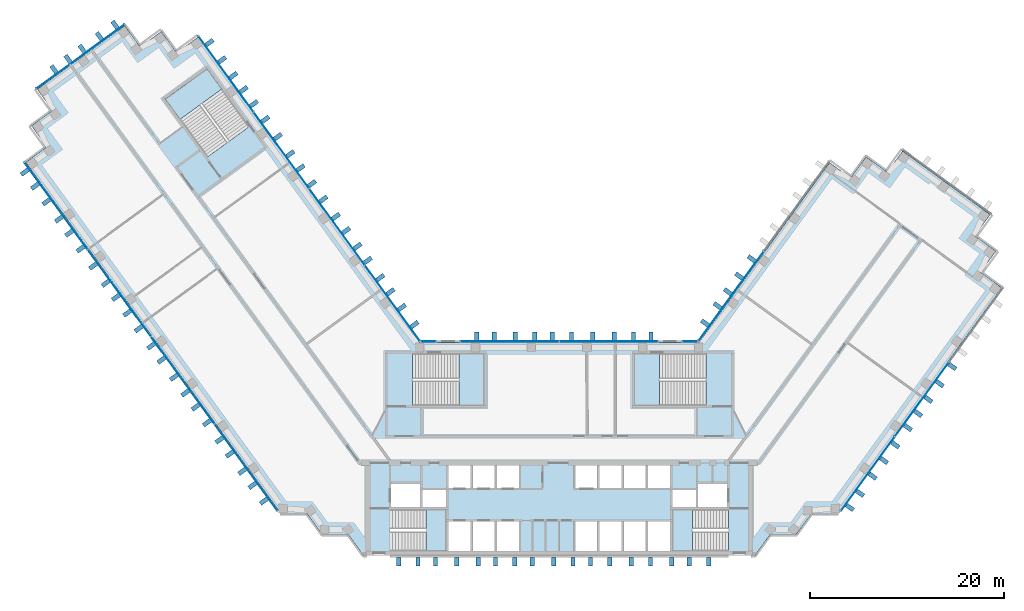
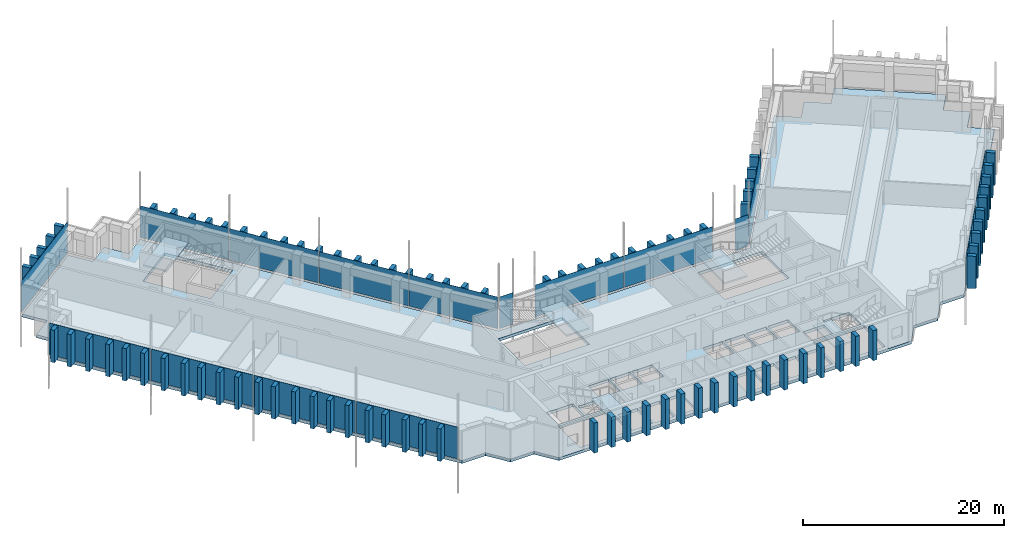
# One storey, part 7 of 16: 104 plates, 6 slabs, 13 elements without a shape of their own.
"""IFC4 building model written with IfcOpenShell, lengths in metres."""

import ifcopenshell
import ifcopenshell.guid

model = None  # the IFC model being written
_history = None  # IfcOwnerHistory: only IFC2X3 demands one
_inside = {}  # id of a spatial element -> (the spatial element, [elements in it])
_under = {}  # id of a project, library or spatial element -> (it, [spatial elements below it])
_declared = {}  # id of a project -> (the project, [libraries it declares])
_typed = {}  # id of a type object -> (the type object, [elements of that type])
_made_of = {}  # id of a material, layer set ... -> (it, [elements and type objects made of it])


def new_model(schema):
    """Start an empty IFC model of exactly this schema.

    Asked for "IFC4X3", IfcOpenShell would pick the latest addendum, in which some entities
    have other attributes; the version numbers below select the first issue.
    IFC2X3 requires an IfcOwnerHistory on every rooted entity: one is made here for all.
    """
    global model, _history
    if schema == "IFC4X3":
        model = ifcopenshell.file(schema_version=(4, 3, 0, 0))
    else:
        model = ifcopenshell.file(schema=schema)
    _inside.clear()
    _under.clear()
    _declared.clear()
    _typed.clear()
    _made_of.clear()
    _history = None
    if model.schema == "IFC2X3":
        org = make("IfcOrganization", Name="unknown")
        user = make(
            "IfcPersonAndOrganization",
            ThePerson=make("IfcPerson", FamilyName="unknown"),
            TheOrganization=org,
        )
        app = make(
            "IfcApplication",
            ApplicationDeveloper=org,
            Version="unknown",
            ApplicationFullName="unknown",
            ApplicationIdentifier="unknown",
        )
        _history = make(
            "IfcOwnerHistory",
            OwningUser=user,
            OwningApplication=app,
            ChangeAction="ADDED",
            CreationDate=0,
        )
    return model


def make(cls, **values):
    """One entity of the class cls with the attributes given. An attribute that is None is left unset."""
    return model.create_entity(
        cls, **{name: value for name, value in values.items() if value is not None}
    )


def rooted(cls, **values):
    """An entity with a GlobalId (a new one), such as an element, a storey or a relation."""
    return make(cls, GlobalId=ifcopenshell.guid.new(), OwnerHistory=_history, **values)


def si_unit(unit_type, name, prefix=None):
    """IfcSIUnit, for example si_unit("LENGTHUNIT", "METRE", prefix="MILLI")."""
    return make("IfcSIUnit", UnitType=unit_type, Prefix=prefix, Name=name)


def assignment(units):
    """IfcUnitAssignment: the units of a project."""
    return None if units is None else make("IfcUnitAssignment", Units=units)


def point(xyz):
    """IfcCartesianPoint."""
    return None if xyz is None else make("IfcCartesianPoint", Coordinates=xyz)


def direction(xyz):
    """IfcDirection."""
    return None if xyz is None else make("IfcDirection", DirectionRatios=xyz)


def frame(location, z_axis=None, x_axis=None):
    """IfcAxis2Placement3D, a coordinate frame: its origin and axes. An axis left out is left unset."""
    return make(
        "IfcAxis2Placement3D",
        Location=point(location),
        Axis=direction(z_axis),
        RefDirection=direction(x_axis),
    )


def frame_2d(location, x_axis=None):
    """IfcAxis2Placement2D, a coordinate frame in the plane: its origin and x axis."""
    return make(
        "IfcAxis2Placement2D", Location=point(location), RefDirection=direction(x_axis)
    )


def origin():
    """The frame at (0, 0, 0) with its axes left unset."""
    return frame((0.0, 0.0, 0.0))


def origin_2d():
    """The frame at (0, 0) in the plane with its x axis left unset."""
    return frame_2d((0.0, 0.0))


def place(relative_to, where):
    """IfcLocalPlacement: puts the frame where relative to a parent placement (None: the world)."""
    return make(
        "IfcLocalPlacement", PlacementRelTo=relative_to, RelativePlacement=where
    )


def context(
    kind, dimensions, precision=None, world=None, true_north=None, identifier=None
):
    """IfcGeometricRepresentationContext, for example the 3D "Model" context."""
    return make(
        "IfcGeometricRepresentationContext",
        ContextIdentifier=identifier,
        ContextType=kind,
        CoordinateSpaceDimension=dimensions,
        Precision=precision,
        WorldCoordinateSystem=world,
        TrueNorth=true_north,
    )


def subcontext(parent, identifier, kind, view, scale=None):
    """IfcGeometricRepresentationSubContext, for example "Body" below "Model"."""
    return make(
        "IfcGeometricRepresentationSubContext",
        ContextIdentifier=identifier,
        ContextType=kind,
        ParentContext=parent,
        TargetScale=scale,
        TargetView=view,
    )


def project(units=None, contexts=None):
    """IfcProject with its units and contexts."""
    return rooted(
        "IfcProject",
        Name="project",
        RepresentationContexts=contexts,
        UnitsInContext=assignment(units),
    )


def spatial(cls, under=None, at=None, **own):
    """A site, building, storey or space (cls), placed at a placement, below another one or the project."""
    s = rooted(cls, ObjectPlacement=at, **own)
    if under is not None:
        _under.setdefault(under.id(), (under, []))[1].append(s)
    return s


def polyline(points):
    """IfcPolyline through the points."""
    return make("IfcPolyline", Points=[point(p) for p in points])


def profile(cls, at=None, kind="AREA", **sizes):
    """A parametric profile (cls). Its sizes go by their IFC names, for example OverallWidth=200.0."""
    return make(cls, ProfileType=kind, Position=at, **sizes)


def rectangle(**sizes):
    """IfcRectangleProfileDef."""
    return profile("IfcRectangleProfileDef", **sizes)


def outline(outer, holes=None, kind="AREA"):
    """IfcArbitraryClosedProfileDef: a profile drawn as a closed curve; with holes, ...WithVoids."""
    if holes is None:
        return make("IfcArbitraryClosedProfileDef", ProfileType=kind, OuterCurve=outer)
    return make(
        "IfcArbitraryProfileDefWithVoids",
        ProfileType=kind,
        OuterCurve=outer,
        InnerCurves=holes,
    )


def extrude(swept, where, along, depth):
    """IfcExtrudedAreaSolid: the profile swept, set in the frame where, extruded along a direction by depth."""
    return make(
        "IfcExtrudedAreaSolid",
        SweptArea=swept,
        Position=where,
        ExtrudedDirection=direction(along),
        Depth=depth,
    )


def shape(context_of_items, identifier, shape_type, items):
    """IfcShapeRepresentation: the items that make up one representation, for example the "Body"."""
    return make(
        "IfcShapeRepresentation",
        ContextOfItems=context_of_items,
        RepresentationIdentifier=identifier,
        RepresentationType=shape_type,
        Items=items,
    )


def material(Name=None, Category=None):
    """IfcMaterial."""
    return make("IfcMaterial", Name=Name, Category=Category)


def layer(
    of_material, thickness, ventilated=None, Name=None, Category=None, Priority=None
):
    """IfcMaterialLayer: one layer of a wall or slab, of a material (None: an air gap)."""
    return make(
        "IfcMaterialLayer",
        Material=of_material,
        LayerThickness=thickness,
        IsVentilated=ventilated,
        Name=Name,
        Category=Category,
        Priority=Priority,
    )


def layer_set(layers, Name=None):
    """IfcMaterialLayerSet."""
    return make("IfcMaterialLayerSet", MaterialLayers=layers, LayerSetName=Name)


def made_of(thing, what):
    """Note that an element or type object is made of a material, layer set ...; save() writes the relation."""
    if what is not None:
        _made_of.setdefault(what.id(), (what, []))[1].append(thing)
    return thing


def type_object(cls, material=None, **own):
    """A type object (cls), such as IfcWallType, which elements share."""
    return made_of(rooted(cls, **own), material)


def element(
    cls,
    number,
    at=None,
    inside=None,
    cuts=None,
    type_object=None,
    material=None,
    context=None,
    identifier="Body",
    shape_type=None,
    held_by="IfcProductDefinitionShape",
    body=None,
    shapes=None,
    **own,
):
    """One element of the class cls, such as IfcWall. Its Tag is "e" and its number.

    at: its placement. inside: the storey or other place that contains it. cuts: it is an
    opening in that element (IfcRelVoidsElement). A single representation is given by context,
    identifier, shape_type and body (its items); several are given by shapes. held_by: the class
    of the entity that holds the representations. save() writes the other relations.
    """
    e = rooted(cls, Tag="e%d" % number, ObjectPlacement=at, **own)
    if body is not None:
        shapes = [shape(context, identifier, shape_type, body)]
    if shapes is not None:
        e.Representation = make(held_by, Representations=shapes)
    if inside is not None:
        _inside.setdefault(inside.id(), (inside, []))[1].append(e)
    if cuts is not None:
        rooted(
            "IfcRelVoidsElement", RelatingBuildingElement=cuts, RelatedOpeningElement=e
        )
    if type_object is not None:
        _typed.setdefault(type_object.id(), (type_object, []))[1].append(e)
    return made_of(e, material)


def aggregate(whole, parts):
    """IfcRelAggregates: a whole, such as a stair, and the parts it consists of."""
    return rooted("IfcRelAggregates", RelatingObject=whole, RelatedObjects=parts)


def save(model, path):
    """Write the relations noted so far, then the file.

    IfcRelAggregates (storeys below a building ...), IfcRelContainedInSpatialStructure (elements
    in a storey), IfcRelDefinesByType, IfcRelAssociatesMaterial and IfcRelDeclares: one each for
    every whole, place, type object, material and project.
    """
    for whole, parts in _under.values():
        aggregate(whole, parts)
    for where, things in _inside.values():
        rooted(
            "IfcRelContainedInSpatialStructure",
            RelatedElements=things,
            RelatingStructure=where,
        )
    for kind, things in _typed.values():
        rooted("IfcRelDefinesByType", RelatedObjects=things, RelatingType=kind)
    for what, things in _made_of.values():
        rooted("IfcRelAssociatesMaterial", RelatedObjects=things, RelatingMaterial=what)
    for by, libraries in _declared.values():
        rooted("IfcRelDeclares", RelatingContext=by, RelatedDefinitions=libraries)
    model.write(path)


model = new_model("IFC4")

# Units and contexts
model_context = context("Model", 3, precision=1e-05, world=origin(), true_north=direction((0.0, 1.0)))
body_context = subcontext(model_context, "Body", "Model", "MODEL_VIEW")
ifc_project = project(units=[si_unit("LENGTHUNIT", "METRE"), si_unit("AREAUNIT", "SQUARE_METRE"), si_unit("VOLUMEUNIT", "CUBIC_METRE"), si_unit("PLANEANGLEUNIT", "RADIAN"), si_unit("MASSUNIT", "GRAM", prefix="KILO")], contexts=[model_context])

# Site, building, storey
site_placement = place(None, origin())
site = spatial("IfcSite", under=ifc_project, at=site_placement, CompositionType="ELEMENT")
building_placement = place(site_placement, origin())
building = spatial("IfcBuilding", under=site, at=building_placement, Name="Quipu Civic Tower", CompositionType="ELEMENT")
storey_placement = place(building_placement, frame((0.0, 0.0, 125.0)))
storey = spatial("IfcBuildingStorey", under=building, at=storey_placement, Name="L29", CompositionType="ELEMENT", Elevation=125.0)

# Slab
ifc_material_1 = material(Name="Concrete C40/50", Category="concrete")
ifc_layer_1 = layer(ifc_material_1, 0.35009765625)
ifc_layer_set_1 = layer_set([ifc_layer_1], Name="Concrete C40/50")
slab_type_1 = type_object("IfcSlabType", Name="Floor slab 350 C40/50", PredefinedType="FLOOR", material=ifc_layer_set_1)
slab_1_placement = place(storey_placement, frame((0.0, 0.0, -0.35009765625)))
element("IfcSlab", 1, at=slab_1_placement, inside=storey, type_object=slab_type_1, Name="Floor slab L29", PredefinedType="FLOOR", context=body_context, shape_type="SweptSolid", body=[
    extrude(outline(polyline([(27.909912109375, 29.60498046875), (30.094970703125, 28.014892578125), (31.68505859375, 30.199951171875), (33.864990234375, 28.614990234375), (35.455078125, 30.800048828125), (44.514892578125, 24.215087890625), (42.929931640625, 22.030029296875), (45.114990234375, 20.445068359375), (43.52490234375, 18.260009765625), (45.7099609375, 16.669921875), (28.780029296875, -6.6298828125), (26.080078125, -6.6298828125), (24.489990234375, -8.81494140625), (21.7900390625, -8.81494140625), (20.205078125, -11.0), (-20.205078125, -11.0), (-21.7900390625, -8.81494140625), (-24.489990234375, -8.81494140625), (-26.080078125, -6.6298828125), (-28.780029296875, -6.6298828125), (-55.114990234375, 29.614990234375), (-52.929931640625, 31.205078125), (-54.514892578125, 33.389892578125), (-52.3349609375, 34.97509765625), (-53.919921875, 37.159912109375), (-44.860107421875, 43.739990234375), (-43.27001953125, 41.56005859375), (-41.0849609375, 43.14501953125), (-39.5, 40.9599609375), (-37.31494140625, 42.550048828125), (-14.39501953125, 11.0), (14.39501953125, 11.0), (27.909912109375, 29.60498046875)]), holes=[polyline([(-11.449951171875, -7.5), (-11.449951171875, -10.5), (-9.14990234375, -10.5), (-9.14990234375, -7.5), (-11.449951171875, -7.5)]), polyline([(-8.949951171875, -7.5), (-8.949951171875, -10.5), (-6.64990234375, -10.5), (-6.64990234375, -7.5), (-8.949951171875, -7.5)]), polyline([(-6.449951171875, -7.5), (-6.449951171875, -10.5), (-4.14990234375, -10.5), (-4.14990234375, -7.5), (-6.449951171875, -7.5)]), polyline([(-11.705078125, -10.4951171875), (-11.705078125, -6.2548828125), (-17.4951171875, -6.2548828125), (-17.4951171875, -10.4951171875), (-11.705078125, -10.4951171875)]), polyline([(-11.699951171875, -4.25), (-14.10009765625, -4.25), (-14.10009765625, -6.0), (-11.699951171875, -6.0), (-11.699951171875, -4.25)]), polyline([(-17.35009765625, -3.60009765625), (-17.35009765625, -6.0), (-14.35009765625, -6.0), (-14.35009765625, -3.60009765625), (-17.35009765625, -3.60009765625)]), polyline([(-9.14990234375, -1.699951171875), (-11.449951171875, -1.699951171875), (-11.449951171875, -4.0), (-9.14990234375, -4.0), (-9.14990234375, -1.699951171875)]), polyline([(-6.64990234375, -1.699951171875), (-8.949951171875, -1.699951171875), (-8.949951171875, -4.0), (-6.64990234375, -4.0), (-6.64990234375, -1.699951171875)]), polyline([(-6.449951171875, -1.699951171875), (-6.449951171875, -4.0), (-4.14990234375, -4.0), (-4.14990234375, -1.699951171875), (-6.449951171875, -1.699951171875)]), polyline([(3.949951171875, -1.699951171875), (1.64990234375, -1.699951171875), (1.64990234375, -4.0), (3.949951171875, -4.0), (3.949951171875, -1.699951171875)]), polyline([(-7.7548828125, 4.5048828125), (-7.7548828125, 9.844970703125), (-15.14501953125, 9.844970703125), (-15.14501953125, 4.5048828125), (-7.7548828125, 4.5048828125)]), polyline([(-40.68505859375, 36.135009765625), (-36.344970703125, 30.159912109375), (-32.02490234375, 33.300048828125), (-36.364990234375, 39.27490234375), (-40.68505859375, 36.135009765625)]), polyline([(3.949951171875, -7.5), (1.64990234375, -7.5), (1.64990234375, -10.5), (3.949951171875, -10.5), (3.949951171875, -7.5)]), polyline([(6.449951171875, -7.5), (4.14990234375, -7.5), (4.14990234375, -10.5), (6.449951171875, -10.5), (6.449951171875, -7.5)]), polyline([(6.64990234375, -7.5), (6.64990234375, -10.5), (8.949951171875, -10.5), (8.949951171875, -7.5), (6.64990234375, -7.5)]), polyline([(11.449951171875, -7.5), (9.14990234375, -7.5), (9.14990234375, -10.5), (11.449951171875, -10.5), (11.449951171875, -7.5)]), polyline([(11.705078125, -6.2548828125), (11.705078125, -10.4951171875), (17.4951171875, -10.4951171875), (17.4951171875, -6.2548828125), (11.705078125, -6.2548828125)]), polyline([(11.699951171875, -4.25), (11.699951171875, -6.0), (14.10009765625, -6.0), (14.10009765625, -4.25), (11.699951171875, -4.25)]), polyline([(17.35009765625, -3.60009765625), (14.35009765625, -3.60009765625), (14.35009765625, -6.0), (17.35009765625, -6.0), (17.35009765625, -3.60009765625)]), polyline([(6.449951171875, -1.699951171875), (4.14990234375, -1.699951171875), (4.14990234375, -4.0), (6.449951171875, -4.0), (6.449951171875, -1.699951171875)]), polyline([(6.64990234375, -1.699951171875), (6.64990234375, -4.0), (8.949951171875, -4.0), (8.949951171875, -1.699951171875), (6.64990234375, -1.699951171875)]), polyline([(11.449951171875, -1.699951171875), (9.14990234375, -1.699951171875), (9.14990234375, -4.0), (11.449951171875, -4.0), (11.449951171875, -1.699951171875)]), polyline([(7.7548828125, 9.844970703125), (7.7548828125, 4.5048828125), (15.14501953125, 4.5048828125), (15.14501953125, 9.844970703125), (7.7548828125, 9.844970703125)])]), origin(), (0.0, 0.0, 1.0), 0.35009765625),
])

# Curtain wall, plates
ifc_material_2 = material(Name="Insulated glass unit", Category="glass")
curtain_wall_type = type_object("IfcCurtainWallType", Name="Office curtain wall CW1", PredefinedType="NOTDEFINED", material=ifc_material_2)
curtain_wall_1_placement = place(storey_placement, origin())
curtain_wall_1 = element("IfcCurtainWall", 2, at=curtain_wall_1_placement, inside=storey, type_object=curtain_wall_type, Name="Office curtain wall CW1 L28 run 1", PredefinedType="NOTDEFINED")
ifc_material_3 = material(Name="Insulated glass unit", Category="glass")
ifc_layer_2 = layer(ifc_material_3, 0.028076171875)
ifc_layer_set_2 = layer_set([ifc_layer_2], Name="Insulated glass unit")
plate_type_1 = type_object("IfcPlateType", Name="Glass panel CW1", PredefinedType="CURTAIN_PANEL", material=ifc_layer_set_2)
plate_1_placement = place(storey_placement, frame((-17.224609375, 15.064697265625, 0.16015625), z_axis=(0.0, 0.0, 1.0), x_axis=(-0.587785887566, 0.809016532822, 0.0)))
plate_1 = element("IfcPlate", 3, at=plate_1_placement, type_object=plate_type_1, Name="CW1 panel 1.2", PredefinedType="CURTAIN_PANEL", context=body_context, shape_type="SweptSolid", body=[
    extrude(rectangle(XDim=9.64111328125, YDim=0.028076171875, at=origin_2d()), origin(), (0.0, 0.0, 1.0), 3.840087890625),
])
plate_2_placement = place(storey_placement, frame((-22.950439453125, 22.9453125, 0.16015625), z_axis=(0.0, 0.0, 1.0), x_axis=(-0.587785887566, 0.809016532822, 0.0)))
plate_2 = element("IfcPlate", 4, at=plate_2_placement, type_object=plate_type_1, Name="CW1 panel 2.2", PredefinedType="CURTAIN_PANEL", context=body_context, shape_type="SweptSolid", body=[
    extrude(rectangle(XDim=9.68115234375, YDim=0.028076171875, at=origin_2d()), origin(), (0.0, 0.0, 1.0), 3.840087890625),
])
plate_3_placement = place(storey_placement, frame((-28.687744140625, 30.84228515625, 0.16015625), z_axis=(0.0, 0.0, 1.0), x_axis=(-0.587785887566, 0.809016532822, 0.0)))
plate_3 = element("IfcPlate", 5, at=plate_3_placement, type_object=plate_type_1, Name="CW1 panel 3.2", PredefinedType="CURTAIN_PANEL", context=body_context, shape_type="SweptSolid", body=[
    extrude(rectangle(XDim=9.68115234375, YDim=0.028076171875, at=origin_2d()), origin(), (0.0, 0.0, 1.0), 3.840087890625),
])
plate_4_placement = place(storey_placement, frame((-34.413330078125, 38.722900390625, 0.16015625), z_axis=(0.0, 0.0, 1.0), x_axis=(-0.587785887566, 0.809016532822, 0.0)))
plate_4 = element("IfcPlate", 6, at=plate_4_placement, type_object=plate_type_1, Name="CW1 panel 4.2", PredefinedType="CURTAIN_PANEL", context=body_context, shape_type="SweptSolid", body=[
    extrude(rectangle(XDim=9.64111328125, YDim=0.028076171875, at=origin_2d()), origin(), (0.0, 0.0, 1.0), 3.840087890625),
])
aggregate(curtain_wall_1, [plate_1, plate_2, plate_3, plate_4])

# Curtain wall, plate
curtain_wall_2_placement = place(storey_placement, origin())
curtain_wall_2 = element("IfcCurtainWall", 7, at=curtain_wall_2_placement, inside=storey, type_object=curtain_wall_type, Name="Office curtain wall CW1 L28 run 6", PredefinedType="NOTDEFINED")
plate_5_placement = place(storey_placement, frame((-49.447998046875, 40.53173828125, 0.16015625), z_axis=(0.0, 0.0, 1.0), x_axis=(-0.809019348124, -0.587782012621, 0.0)))
plate_5 = element("IfcPlate", 8, at=plate_5_placement, type_object=plate_type_1, Name="CW1 panel 1.2", PredefinedType="CURTAIN_PANEL", context=body_context, shape_type="SweptSolid", body=[
    extrude(rectangle(XDim=11.239990234375, YDim=0.028076171875, at=origin_2d()), origin(), (0.0, 0.0, 1.0), 3.840087890625),
])
aggregate(curtain_wall_2, [plate_5])

# Curtain wall, plates
curtain_wall_3_placement = place(storey_placement, origin())
curtain_wall_3 = element("IfcCurtainWall", 9, at=curtain_wall_3_placement, inside=storey, type_object=curtain_wall_type, Name="Office curtain wall CW1 L28 run 11", PredefinedType="NOTDEFINED")
plate_6_placement = place(storey_placement, frame((-51.967529296875, 25.114990234375, 0.16015625), z_axis=(0.0, 0.0, 1.0), x_axis=(0.587785559869, -0.809016770908, 0.0)))
plate_6 = element("IfcPlate", 10, at=plate_6_placement, type_object=plate_type_1, Name="CW1 panel 1.2", PredefinedType="CURTAIN_PANEL", context=body_context, shape_type="SweptSolid", body=[
    extrude(rectangle(XDim=11.022705078125, YDim=0.028076171875, at=origin_2d()), origin(), (0.0, 0.0, 1.0), 3.840087890625),
])
plate_7_placement = place(storey_placement, frame((-45.4296875, 16.11669921875, 0.16015625), z_axis=(0.0, 0.0, 1.0), x_axis=(0.587785559869, -0.809016770908, 0.0)))
plate_7 = element("IfcPlate", 11, at=plate_7_placement, type_object=plate_type_1, Name="CW1 panel 2.2", PredefinedType="CURTAIN_PANEL", context=body_context, shape_type="SweptSolid", body=[
    extrude(rectangle(XDim=11.062744140625, YDim=0.028076171875, at=origin_2d()), origin(), (0.0, 0.0, 1.0), 3.840087890625),
])
plate_8_placement = place(storey_placement, frame((-38.880126953125, 7.101806640625, 0.16015625), z_axis=(0.0, 0.0, 1.0), x_axis=(0.587785559869, -0.809016770908, 0.0)))
plate_8 = element("IfcPlate", 12, at=plate_8_placement, type_object=plate_type_1, Name="CW1 panel 3.2", PredefinedType="CURTAIN_PANEL", context=body_context, shape_type="SweptSolid", body=[
    extrude(rectangle(XDim=11.062744140625, YDim=0.028076171875, at=origin_2d()), origin(), (0.0, 0.0, 1.0), 3.840087890625),
])
plate_9_placement = place(storey_placement, frame((-32.342529296875, -1.896484375, 0.16015625), z_axis=(0.0, 0.0, 1.0), x_axis=(0.587785559869, -0.809016770908, 0.0)))
plate_9 = element("IfcPlate", 13, at=plate_9_placement, type_object=plate_type_1, Name="CW1 panel 4.2", PredefinedType="CURTAIN_PANEL", context=body_context, shape_type="SweptSolid", body=[
    extrude(rectangle(XDim=11.022705078125, YDim=0.028076171875, at=origin_2d()), origin(), (0.0, 0.0, 1.0), 3.840087890625),
])
aggregate(curtain_wall_3, [plate_6, plate_7, plate_8, plate_9])

curtain_wall_4_placement = place(storey_placement, origin())
curtain_wall_4 = element("IfcCurtainWall", 14, at=curtain_wall_4_placement, inside=storey, type_object=curtain_wall_type, Name="Office curtain wall CW1 L28 run 23", PredefinedType="NOTDEFINED")
plate_10_placement = place(storey_placement, frame((31.86669921875, -2.551513671875, 0.16015625), z_axis=(0.0, 0.0, 1.0), x_axis=(0.587785375786, 0.809016904652, 0.0)))
plate_10 = element("IfcPlate", 15, at=plate_10_placement, type_object=plate_type_1, Name="CW1 panel 1.2", PredefinedType="CURTAIN_PANEL", context=body_context, shape_type="SweptSolid", body=[
    extrude(rectangle(XDim=9.403564453125, YDim=0.028076171875, at=origin_2d()), origin(), (0.0, 0.0, 1.0), 3.840087890625),
])
plate_11_placement = place(storey_placement, frame((37.45263671875, 5.13720703125, 0.16015625), z_axis=(0.0, 0.0, 1.0), x_axis=(0.587785375786, 0.809016904652, 0.0)))
plate_11 = element("IfcPlate", 16, at=plate_11_placement, type_object=plate_type_1, Name="CW1 panel 2.2", PredefinedType="CURTAIN_PANEL", context=body_context, shape_type="SweptSolid", body=[
    extrude(rectangle(XDim=9.443603515625, YDim=0.028076171875, at=origin_2d()), origin(), (0.0, 0.0, 1.0), 3.840087890625),
])
aggregate(curtain_wall_4, [plate_10, plate_11])

# Curtain wall, plate
curtain_wall_5_placement = place(storey_placement, origin())
curtain_wall_5 = element("IfcCurtainWall", 17, at=curtain_wall_5_placement, inside=storey, type_object=curtain_wall_type, Name="Office curtain wall CW1 L28 run 30", PredefinedType="NOTDEFINED")
plate_12_placement = place(storey_placement, frame((17.7421875, 15.777099609375, 0.16015625), z_axis=(0.0, 0.0, 1.0), x_axis=(-0.587788727052, -0.809014469803, 0.0)))
plate_12 = element("IfcPlate", 18, at=plate_12_placement, type_object=plate_type_1, Name="CW1 panel 2.2", PredefinedType="CURTAIN_PANEL", context=body_context, shape_type="SweptSolid", body=[
    extrude(rectangle(XDim=11.402099609375, YDim=0.028076171875, at=origin_2d()), origin(), (0.0, 0.0, 1.0), 3.840087890625),
])
aggregate(curtain_wall_5, [plate_12])

curtain_wall_6_placement = place(storey_placement, origin())
curtain_wall_6 = element("IfcCurtainWall", 19, at=curtain_wall_6_placement, inside=storey, type_object=curtain_wall_type, Name="Office curtain wall CW1 L28 run 31", PredefinedType="NOTDEFINED")
plate_13_placement = place(storey_placement, frame((13.49951171875, 11.10009765625, 0.16015625), z_axis=(0.0, 0.0, 1.0), x_axis=(-1.0, 0.0, 0.0)))
plate_13 = element("IfcPlate", 20, at=plate_13_placement, type_object=plate_type_1, Name="CW1 panel 1.2", PredefinedType="CURTAIN_PANEL", context=body_context, shape_type="SweptSolid", body=[
    extrude(rectangle(XDim=1.529296875, YDim=0.028076171875, at=origin_2d()), origin(), (0.0, 0.0, 1.0), 3.840087890625),
])
aggregate(curtain_wall_6, [plate_13])

# Curtain wall, plates
curtain_wall_7_placement = place(storey_placement, origin())
curtain_wall_7 = element("IfcCurtainWall", 21, at=curtain_wall_7_placement, inside=storey, type_object=curtain_wall_type, Name="Office curtain wall CW1 L28 run 33", PredefinedType="NOTDEFINED")
plate_14_placement = place(storey_placement, frame((5.11181640625, 11.10009765625, 0.16015625), z_axis=(0.0, 0.0, 1.0), x_axis=(-1.0, 0.0, 0.0)))
plate_14 = element("IfcPlate", 22, at=plate_14_placement, type_object=plate_type_1, Name="CW1 panel 1.2", PredefinedType="CURTAIN_PANEL", context=body_context, shape_type="SweptSolid", body=[
    extrude(rectangle(XDim=10.1435546875, YDim=0.028076171875, at=origin_2d()), origin(), (0.0, 0.0, 1.0), 3.840087890625),
])
plate_15_placement = place(storey_placement, frame((-5.11181640625, 11.10009765625, 0.16015625), z_axis=(0.0, 0.0, 1.0), x_axis=(-1.0, 0.0, 0.0)))
plate_15 = element("IfcPlate", 23, at=plate_15_placement, type_object=plate_type_1, Name="CW1 panel 2.2", PredefinedType="CURTAIN_PANEL", context=body_context, shape_type="SweptSolid", body=[
    extrude(rectangle(XDim=10.1435546875, YDim=0.028076171875, at=origin_2d()), origin(), (0.0, 0.0, 1.0), 3.840087890625),
])
aggregate(curtain_wall_7, [plate_14, plate_15])

# Curtain wall, plate
curtain_wall_8_placement = place(storey_placement, origin())
curtain_wall_8 = element("IfcCurtainWall", 24, at=curtain_wall_8_placement, inside=storey, type_object=curtain_wall_type, Name="Office curtain wall CW1 L28 run 35", PredefinedType="NOTDEFINED")
plate_16_placement = place(storey_placement, frame((-13.49951171875, 11.10009765625, 0.16015625), z_axis=(0.0, 0.0, 1.0), x_axis=(-1.0, 0.0, 0.0)))
plate_16 = element("IfcPlate", 25, at=plate_16_placement, type_object=plate_type_1, Name="CW1 panel 1.2", PredefinedType="CURTAIN_PANEL", context=body_context, shape_type="SweptSolid", body=[
    extrude(rectangle(XDim=1.529296875, YDim=0.028076171875, at=origin_2d()), origin(), (0.0, 0.0, 1.0), 3.840087890625),
])
aggregate(curtain_wall_8, [plate_16])

# Plates
ifc_material_4 = material(Name="Precast concrete C40/50", Category="concrete")
plate_type_2 = type_object("IfcPlateType", Name="Precast fin F1", PredefinedType="SHEET", material=ifc_material_4)
for number, where, z_axis, x_axis, name in (
    (26, (-14.942138671875, 12.8583984375, 0.080078125), (0.0, 0.0, 1.0), (-0.587784944053, 0.809017218324, 0.0), "Precast fin F1 L29.P04.1"),
    (27, (-16.235107421875, 14.638427734375, 0.080078125), (0.0, 0.0, 1.0), (-0.587784944053, 0.809017218324, 0.0), "Precast fin F1 L29.P04.2"),
    (28, (-17.41064453125, 16.25634765625, 0.080078125), (0.0, 0.0, 1.0), (-0.587784944053, 0.809017218324, 0.0), "Precast fin F1 L29.P04.3"),
    (29, (-18.46875, 17.712646484375, 0.080078125), (0.0, 0.0, 1.0), (-0.587784944053, 0.809017218324, 0.0), "Precast fin F1 L29.P04.4"),
    (30, (-19.761962890625, 19.492431640625, 0.080078125), (0.0, 0.0, 1.0), (-0.587784944053, 0.809017218324, 0.0), "Precast fin F1 L29.P04.5"),
    (31, (-20.81982421875, 20.94873046875, 0.080078125), (0.0, 0.0, 1.0), (-0.587784944053, 0.809017218324, 0.0), "Precast fin F1 L29.P04.6"),
    (32, (-21.995361328125, 22.566650390625, 0.080078125), (0.0, 0.0, 1.0), (-0.587784944053, 0.809017218324, 0.0), "Precast fin F1 L29.P04.7"),
    (33, (-23.053466796875, 24.02294921875, 0.080078125), (0.0, 0.0, 1.0), (-0.587784944053, 0.809017218324, 0.0), "Precast fin F1 L29.P04.8"),
    (34, (-24.3466796875, 25.802734375, 0.080078125), (0.0, 0.0, 1.0), (-0.587784944053, 0.809017218324, 0.0), "Precast fin F1 L29.P04.9"),
    (35, (-25.522216796875, 27.4208984375, 0.080078125), (0.0, 0.0, 1.0), (-0.587784944053, 0.809017218324, 0.0), "Precast fin F1 L29.P04.10"),
    (36, (-26.69775390625, 29.038818359375, 0.080078125), (0.0, 0.0, 1.0), (-0.587784944053, 0.809017218324, 0.0), "Precast fin F1 L29.P04.11"),
    (37, (-27.755859375, 30.4951171875, 0.080078125), (0.0, 0.0, 1.0), (-0.587784944053, 0.809017218324, 0.0), "Precast fin F1 L29.P04.12"),
    (38, (-29.048828125, 32.27490234375, 0.080078125), (0.0, 0.0, 1.0), (-0.587784944053, 0.809017218324, 0.0), "Precast fin F1 L29.P04.13"),
    (39, (-30.342041015625, 34.0546875, 0.080078125), (0.0, 0.0, 1.0), (-0.587784944053, 0.809017218324, 0.0), "Precast fin F1 L29.P04.14"),
    (40, (-31.517578125, 35.6728515625, 0.080078125), (0.0, 0.0, 1.0), (-0.587784944053, 0.809017218324, 0.0), "Precast fin F1 L29.P04.15"),
    (41, (-32.57568359375, 37.129150390625, 0.080078125), (0.0, 0.0, 1.0), (-0.587784944053, 0.809017218324, 0.0), "Precast fin F1 L29.P04.16"),
    (42, (-33.633544921875, 38.585205078125, 0.080078125), (0.0, 0.0, 1.0), (-0.587784944053, 0.809017218324, 0.0), "Precast fin F1 L29.P04.17"),
    (43, (-34.80908203125, 40.203369140625, 0.080078125), (0.0, 0.0, 1.0), (-0.587784944053, 0.809017218324, 0.0), "Precast fin F1 L29.P04.18"),
    (44, (-36.102294921875, 41.983154296875, 0.080078125), (0.0, 0.0, 1.0), (-0.587784944053, 0.809017218324, 0.0), "Precast fin F1 L29.P04.19"),
    (45, (-45.867919921875, 43.812744140625, 0.080078125), (0.0, 0.0, 1.0), (-0.809021318545, -0.587779300537, 0.0), "Precast fin F1 L29.P09.1"),
    (46, (-47.48583984375, 42.63720703125, 0.080078125), (0.0, 0.0, 1.0), (-0.809021318545, -0.587779300537, 0.0), "Precast fin F1 L29.P09.2"),
    (47, (-49.265625, 41.343994140625, 0.080078125), (0.0, 0.0, 1.0), (-0.809021318545, -0.587779300537, 0.0), "Precast fin F1 L29.P09.3"),
    (48, (-50.721923828125, 40.2861328125, 0.080078125), (0.0, 0.0, 1.0), (-0.809021318545, -0.587779300537, 0.0), "Precast fin F1 L29.P09.4"),
    (49, (-52.17822265625, 39.22802734375, 0.080078125), (0.0, 0.0, 1.0), (-0.809021318545, -0.587779300537, 0.0), "Precast fin F1 L29.P09.5"),
    (50, (-55.184814453125, 28.607421875, 0.080078125), (0.0, 0.0, 1.0), (0.587785716149, -0.809016657363, 0.0), "Precast fin F1 L29.P14.1"),
    (51, (-54.126708984375, 27.151123046875, 0.080078125), (0.0, 0.0, 1.0), (0.587785716149, -0.809016657363, 0.0), "Precast fin F1 L29.P14.2"),
    (52, (-52.951171875, 25.533203125, 0.080078125), (0.0, 0.0, 1.0), (0.587785716149, -0.809016657363, 0.0), "Precast fin F1 L29.P14.3"),
    (53, (-51.657958984375, 23.75341796875, 0.080078125), (0.0, 0.0, 1.0), (0.587785716149, -0.809016657363, 0.0), "Precast fin F1 L29.P14.4"),
    (54, (-50.60009765625, 22.297119140625, 0.080078125), (0.0, 0.0, 1.0), (0.587785716149, -0.809016657363, 0.0), "Precast fin F1 L29.P14.5"),
    (55, (-49.42431640625, 20.67919921875, 0.080078125), (0.0, 0.0, 1.0), (0.587785716149, -0.809016657363, 0.0), "Precast fin F1 L29.P14.6"),
    (56, (-48.13134765625, 18.899169921875, 0.080078125), (0.0, 0.0, 1.0), (0.587785716149, -0.809016657363, 0.0), "Precast fin F1 L29.P14.7"),
    (57, (-46.838134765625, 17.119384765625, 0.080078125), (0.0, 0.0, 1.0), (0.587785716149, -0.809016657363, 0.0), "Precast fin F1 L29.P14.8"),
    (58, (-45.7802734375, 15.6630859375, 0.080078125), (0.0, 0.0, 1.0), (0.587785716149, -0.809016657363, 0.0), "Precast fin F1 L29.P14.9"),
    (59, (-44.6044921875, 14.045166015625, 0.080078125), (0.0, 0.0, 1.0), (0.587785716149, -0.809016657363, 0.0), "Precast fin F1 L29.P14.10"),
    (60, (-43.428955078125, 12.427001953125, 0.080078125), (0.0, 0.0, 1.0), (0.587785716149, -0.809016657363, 0.0), "Precast fin F1 L29.P14.11"),
    (61, (-42.135986328125, 10.647216796875, 0.080078125), (0.0, 0.0, 1.0), (0.587785716149, -0.809016657363, 0.0), "Precast fin F1 L29.P14.12"),
    (62, (-41.077880859375, 9.191162109375, 0.080078125), (0.0, 0.0, 1.0), (0.587785716149, -0.809016657363, 0.0), "Precast fin F1 L29.P14.13"),
    (63, (-39.78466796875, 7.4111328125, 0.080078125), (0.0, 0.0, 1.0), (0.587785716149, -0.809016657363, 0.0), "Precast fin F1 L29.P14.14"),
    (64, (-38.609130859375, 5.793212890625, 0.080078125), (0.0, 0.0, 1.0), (0.587785716149, -0.809016657363, 0.0), "Precast fin F1 L29.P14.15"),
    (65, (-37.55126953125, 4.3369140625, 0.080078125), (0.0, 0.0, 1.0), (0.587785716149, -0.809016657363, 0.0), "Precast fin F1 L29.P14.16"),
    (66, (-36.37548828125, 2.718994140625, 0.080078125), (0.0, 0.0, 1.0), (0.587785716149, -0.809016657363, 0.0), "Precast fin F1 L29.P14.17"),
    (67, (-35.08251953125, 0.93896484375, 0.080078125), (0.0, 0.0, 1.0), (0.587785716149, -0.809016657363, 0.0), "Precast fin F1 L29.P14.18"),
    (68, (-34.0244140625, -0.51708984375, 0.080078125), (0.0, 0.0, 1.0), (0.587785716149, -0.809016657363, 0.0), "Precast fin F1 L29.P14.19"),
    (69, (-32.731201171875, -2.296875, 0.080078125), (0.0, 0.0, 1.0), (0.587785716149, -0.809016657363, 0.0), "Precast fin F1 L29.P14.20"),
    (70, (-31.67333984375, -3.753173828125, 0.080078125), (0.0, 0.0, 1.0), (0.587785716149, -0.809016657363, 0.0), "Precast fin F1 L29.P14.21"),
    (71, (-30.497802734375, -5.371337890625, 0.080078125), (0.0, 0.0, 1.0), (0.587785716149, -0.809016657363, 0.0), "Precast fin F1 L29.P14.22"),
):
    element("IfcPlate", number, at=place(storey_placement, frame(where, z_axis=z_axis, x_axis=x_axis)), inside=storey, type_object=plate_type_2, Name=name, PredefinedType="SHEET", context=body_context, shape_type="SweptSolid", body=[
        extrude(rectangle(XDim=0.449951171875, YDim=0.89990234375, at=origin_2d()), origin(), (0.0, 0.0, 1.0), 3.919921875),
    ])
for number, where, z_axis, x_axis, name in (
    (72, (-16.574951171875, -11.637939453125, 0.0), (0.0, 0.0, 1.0), (1.0, 0.0, 0.0), "Precast fin F1 L29.P21.1"),
    (73, (-14.574951171875, -11.637939453125, 0.0), (0.0, 0.0, 1.0), (1.0, 0.0, 0.0), "Precast fin F1 L29.P21.2"),
    (74, (-12.77490234375, -11.637939453125, 0.0), (0.0, 0.0, 1.0), (1.0, 0.0, 0.0), "Precast fin F1 L29.P21.3"),
    (75, (-10.574951171875, -11.637939453125, 0.0), (0.0, 0.0, 1.0), (1.0, 0.0, 0.0), "Precast fin F1 L29.P21.4"),
    (76, (-8.375, -11.637939453125, 0.0), (0.0, 0.0, 1.0), (1.0, 0.0, 0.0), "Precast fin F1 L29.P21.5"),
    (77, (-6.574951171875, -11.637939453125, 0.0), (0.0, 0.0, 1.0), (1.0, 0.0, 0.0), "Precast fin F1 L29.P21.6"),
    (78, (-4.574951171875, -11.637939453125, 0.0), (0.0, 0.0, 1.0), (1.0, 0.0, 0.0), "Precast fin F1 L29.P21.7"),
    (79, (-2.77490234375, -11.637939453125, 0.0), (0.0, 0.0, 1.0), (1.0, 0.0, 0.0), "Precast fin F1 L29.P21.8"),
    (80, (-0.574951171875, -11.637939453125, 0.0), (0.0, 0.0, 1.0), (1.0, 0.0, 0.0), "Precast fin F1 L29.P21.9"),
    (81, (1.425048828125, -11.637939453125, 0.0), (0.0, 0.0, 1.0), (1.0, 0.0, 0.0), "Precast fin F1 L29.P21.10"),
    (82, (3.22509765625, -11.637939453125, 0.0), (0.0, 0.0, 1.0), (1.0, 0.0, 0.0), "Precast fin F1 L29.P21.11"),
    (83, (5.22509765625, -11.637939453125, 0.0), (0.0, 0.0, 1.0), (1.0, 0.0, 0.0), "Precast fin F1 L29.P21.12"),
    (84, (7.425048828125, -11.637939453125, 0.0), (0.0, 0.0, 1.0), (1.0, 0.0, 0.0), "Precast fin F1 L29.P21.13"),
    (85, (9.425048828125, -11.637939453125, 0.0), (0.0, 0.0, 1.0), (1.0, 0.0, 0.0), "Precast fin F1 L29.P21.14"),
    (86, (11.625, -11.637939453125, 0.0), (0.0, 0.0, 1.0), (1.0, 0.0, 0.0), "Precast fin F1 L29.P21.15"),
    (87, (13.425048828125, -11.637939453125, 0.0), (0.0, 0.0, 1.0), (1.0, 0.0, 0.0), "Precast fin F1 L29.P21.16"),
    (88, (15.425048828125, -11.637939453125, 0.0), (0.0, 0.0, 1.0), (1.0, 0.0, 0.0), "Precast fin F1 L29.P21.17"),
):
    element("IfcPlate", number, at=place(storey_placement, frame(where, z_axis=z_axis, x_axis=x_axis)), inside=storey, type_object=plate_type_2, Name=name, PredefinedType="SHEET", context=body_context, shape_type="SweptSolid", body=[
        extrude(rectangle(XDim=0.449951171875, YDim=0.89990234375, at=origin_2d()), origin(), (0.0, 0.0, 1.0), 3.64990234375),
    ])
for number, where, z_axis, x_axis, name in (
    (89, (30.014404296875, -6.036376953125, 0.080078125), (0.0, 0.0, 1.0), (0.587785620359, 0.809016726959, 0.0), "Precast fin F1 L29.P27.1"),
    (90, (31.072509765625, -4.580078125, 0.080078125), (0.0, 0.0, 1.0), (0.587785620359, 0.809016726959, 0.0), "Precast fin F1 L29.P27.2"),
    (91, (32.36572265625, -2.80029296875, 0.080078125), (0.0, 0.0, 1.0), (0.587785620359, 0.809016726959, 0.0), "Precast fin F1 L29.P27.3"),
    (92, (33.541259765625, -1.18212890625, 0.080078125), (0.0, 0.0, 1.0), (0.587785620359, 0.809016726959, 0.0), "Precast fin F1 L29.P27.4"),
    (93, (34.716796875, 0.435791015625, 0.080078125), (0.0, 0.0, 1.0), (0.587785620359, 0.809016726959, 0.0), "Precast fin F1 L29.P27.5"),
    (94, (36.010009765625, 2.215576171875, 0.080078125), (0.0, 0.0, 1.0), (0.587785620359, 0.809016726959, 0.0), "Precast fin F1 L29.P27.6"),
    (95, (37.06787109375, 3.671875, 0.080078125), (0.0, 0.0, 1.0), (0.587785620359, 0.809016726959, 0.0), "Precast fin F1 L29.P27.7"),
    (96, (38.1259765625, 5.128173828125, 0.080078125), (0.0, 0.0, 1.0), (0.587785620359, 0.809016726959, 0.0), "Precast fin F1 L29.P27.8"),
    (97, (39.301513671875, 6.74609375, 0.080078125), (0.0, 0.0, 1.0), (0.587785620359, 0.809016726959, 0.0), "Precast fin F1 L29.P27.9"),
    (98, (40.5947265625, 8.52587890625, 0.080078125), (0.0, 0.0, 1.0), (0.587785620359, 0.809016726959, 0.0), "Precast fin F1 L29.P27.10"),
    (99, (19.876708984375, 19.650390625, 0.080078125), (0.0, 0.0, 1.0), (-0.587787133119, -0.809015627871, 0.0), "Precast fin F1 L29.P34.7"),
    (100, (18.58349609375, 17.87060546875, 0.080078125), (0.0, 0.0, 1.0), (-0.587787133119, -0.809015627871, 0.0), "Precast fin F1 L29.P34.8"),
    (101, (17.407958984375, 16.25244140625, 0.080078125), (0.0, 0.0, 1.0), (-0.587787133119, -0.809015627871, 0.0), "Precast fin F1 L29.P34.9"),
    (102, (16.349853515625, 14.79638671875, 0.080078125), (0.0, 0.0, 1.0), (-0.587787133119, -0.809015627871, 0.0), "Precast fin F1 L29.P34.10"),
    (103, (15.056884765625, 13.016357421875, 0.080078125), (0.0, 0.0, 1.0), (-0.587787133119, -0.809015627871, 0.0), "Precast fin F1 L29.P34.11"),
    (104, (9.47509765625, 11.64990234375, 0.080078125), (0.0, 0.0, 1.0), (-1.0, 0.0, 0.0), "Precast fin F1 L29.P37.1"),
    (105, (7.675048828125, 11.64990234375, 0.080078125), (0.0, 0.0, 1.0), (-1.0, 0.0, 0.0), "Precast fin F1 L29.P37.2"),
    (106, (5.675048828125, 11.64990234375, 0.080078125), (0.0, 0.0, 1.0), (-1.0, 0.0, 0.0), "Precast fin F1 L29.P37.3"),
    (107, (3.47509765625, 11.64990234375, 0.080078125), (0.0, 0.0, 1.0), (-1.0, 0.0, 0.0), "Precast fin F1 L29.P37.4"),
    (108, (1.27490234375, 11.64990234375, 0.080078125), (0.0, 0.0, 1.0), (-1.0, 0.0, 0.0), "Precast fin F1 L29.P37.5"),
    (109, (-0.72509765625, 11.64990234375, 0.080078125), (0.0, 0.0, 1.0), (-1.0, 0.0, 0.0), "Precast fin F1 L29.P37.6"),
    (110, (-2.52490234375, 11.64990234375, 0.080078125), (0.0, 0.0, 1.0), (-1.0, 0.0, 0.0), "Precast fin F1 L29.P37.7"),
    (111, (-4.52490234375, 11.64990234375, 0.080078125), (0.0, 0.0, 1.0), (-1.0, 0.0, 0.0), "Precast fin F1 L29.P37.8"),
    (112, (-6.72509765625, 11.64990234375, 0.080078125), (0.0, 0.0, 1.0), (-1.0, 0.0, 0.0), "Precast fin F1 L29.P37.9"),
    (113, (-8.52490234375, 11.64990234375, 0.080078125), (0.0, 0.0, 1.0), (-1.0, 0.0, 0.0), "Precast fin F1 L29.P37.10"),
):
    element("IfcPlate", number, at=place(storey_placement, frame(where, z_axis=z_axis, x_axis=x_axis)), inside=storey, type_object=plate_type_2, Name=name, PredefinedType="SHEET", context=body_context, shape_type="SweptSolid", body=[
        extrude(rectangle(XDim=0.449951171875, YDim=0.89990234375, at=origin_2d()), origin(), (0.0, 0.0, 1.0), 3.919921875),
    ])

# Stair, slab
ifc_material_5 = material(Name="Concrete C40/50", Category="concrete")
stair_type_1 = type_object("IfcStairType", Name="Half turn stair 2000", PredefinedType="HALF_TURN_STAIR", material=ifc_material_5)
stair_1_placement = place(storey_placement, origin())
stair_1 = element("IfcStair", 114, at=stair_1_placement, inside=storey, type_object=stair_type_1, Name="Exit stair 1", PredefinedType="HALF_TURN_STAIR")
ifc_material_6 = material(Name="Concrete C40/50", Category="concrete")
ifc_layer_3 = layer(ifc_material_6, 0.199951171875)
ifc_layer_set_3 = layer_set([ifc_layer_3], Name="Concrete C40/50")
slab_type_2 = type_object("IfcSlabType", Name="Stair landing 200", PredefinedType="LANDING", material=ifc_layer_set_3)
slab_2_placement = place(storey_placement, frame((0.0, 0.0, 1.800048828125)))
slab_2 = element("IfcSlab", 115, at=slab_2_placement, type_object=slab_type_2, Name="ST-1 landing 1", PredefinedType="LANDING", context=body_context, shape_type="SweptSolid", body=[
    extrude(outline(polyline([(-13.780029296875, -10.5), (-11.699951171875, -10.5), (-11.699951171875, -6.25), (-13.780029296875, -6.25), (-13.780029296875, -10.5)])), origin(), (0.0, 0.0, 1.0), 0.199951171875),
])
aggregate(stair_1, [slab_2])

stair_2_placement = place(storey_placement, origin())
stair_2 = element("IfcStair", 116, at=stair_2_placement, inside=storey, type_object=stair_type_1, Name="Exit stair 2", PredefinedType="HALF_TURN_STAIR")
slab_3_placement = place(storey_placement, frame((0.0, 0.0, 1.800048828125)))
slab_3 = element("IfcSlab", 117, at=slab_3_placement, type_object=slab_type_2, Name="ST-2 landing 1", PredefinedType="LANDING", context=body_context, shape_type="SweptSolid", body=[
    extrude(outline(polyline([(13.780029296875, -6.25), (11.699951171875, -6.25), (11.699951171875, -10.5), (13.780029296875, -10.5), (13.780029296875, -6.25)])), origin(), (0.0, 0.0, 1.0), 0.199951171875),
])
aggregate(stair_2, [slab_3])

ifc_material_7 = material(Name="Concrete C40/50", Category="concrete")
stair_type_2 = type_object("IfcStairType", Name="Half turn stair 2600", PredefinedType="HALF_TURN_STAIR", material=ifc_material_7)
stair_3_placement = place(storey_placement, origin())
stair_3 = element("IfcStair", 118, at=stair_3_placement, inside=storey, type_object=stair_type_2, Name="Exit stair 3", PredefinedType="HALF_TURN_STAIR")
slab_4_placement = place(storey_placement, frame((0.0, 0.0, 1.800048828125)))
slab_4 = element("IfcSlab", 119, at=slab_4_placement, type_object=slab_type_2, Name="ST-3 landing 1", PredefinedType="LANDING", context=body_context, shape_type="SweptSolid", body=[
    extrude(outline(polyline([(-10.35009765625, 4.5), (-7.75, 4.5), (-7.75, 9.85009765625), (-10.35009765625, 9.85009765625), (-10.35009765625, 4.5)])), origin(), (0.0, 0.0, 1.0), 0.199951171875),
])
aggregate(stair_3, [slab_4])

stair_4_placement = place(storey_placement, origin())
stair_4 = element("IfcStair", 120, at=stair_4_placement, inside=storey, type_object=stair_type_2, Name="Exit stair 4", PredefinedType="HALF_TURN_STAIR")
slab_5_placement = place(storey_placement, frame((0.0, 0.0, 1.800048828125)))
slab_5 = element("IfcSlab", 121, at=slab_5_placement, type_object=slab_type_2, Name="ST-4 landing 1", PredefinedType="LANDING", context=body_context, shape_type="SweptSolid", body=[
    extrude(outline(polyline([(10.35009765625, 9.85009765625), (7.75, 9.85009765625), (7.75, 4.5), (10.35009765625, 4.5), (10.35009765625, 9.85009765625)])), origin(), (0.0, 0.0, 1.0), 0.199951171875),
])
aggregate(stair_4, [slab_5])

stair_5_placement = place(storey_placement, origin())
stair_5 = element("IfcStair", 122, at=stair_5_placement, inside=storey, type_object=stair_type_2, Name="Exit stair 6", PredefinedType="HALF_TURN_STAIR")
slab_6_placement = place(storey_placement, frame((0.0, 0.0, 1.800048828125)))
slab_6 = element("IfcSlab", 123, at=slab_6_placement, type_object=slab_type_2, Name="ST-6 landing 1", PredefinedType="LANDING", context=body_context, shape_type="SweptSolid", body=[
    extrude(outline(polyline([(-34.837158203125, 37.179443359375), (-36.365478515625, 39.282958984375), (-40.69384765625, 36.138427734375), (-39.16552734375, 34.034912109375), (-34.837158203125, 37.179443359375)])), origin(), (0.0, 0.0, 1.0), 0.199951171875),
])
aggregate(stair_5, [slab_6])

save(model, "model.ifc")
